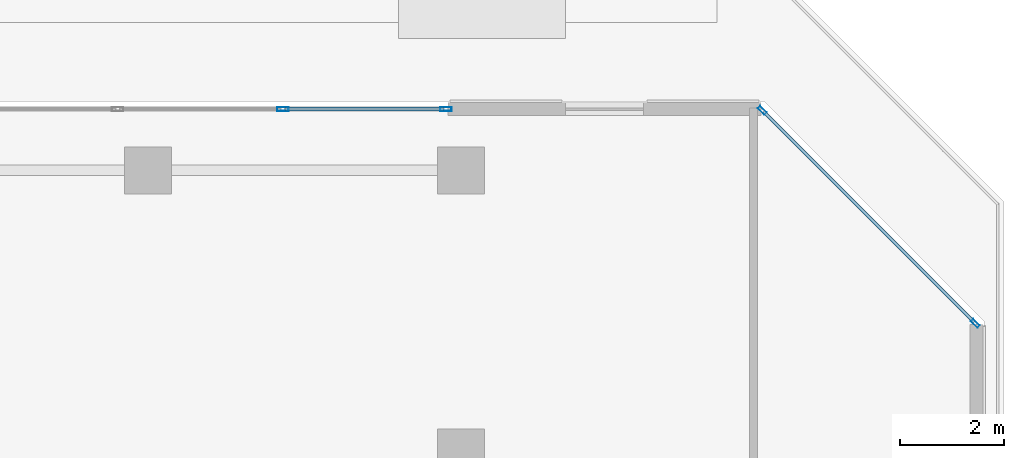
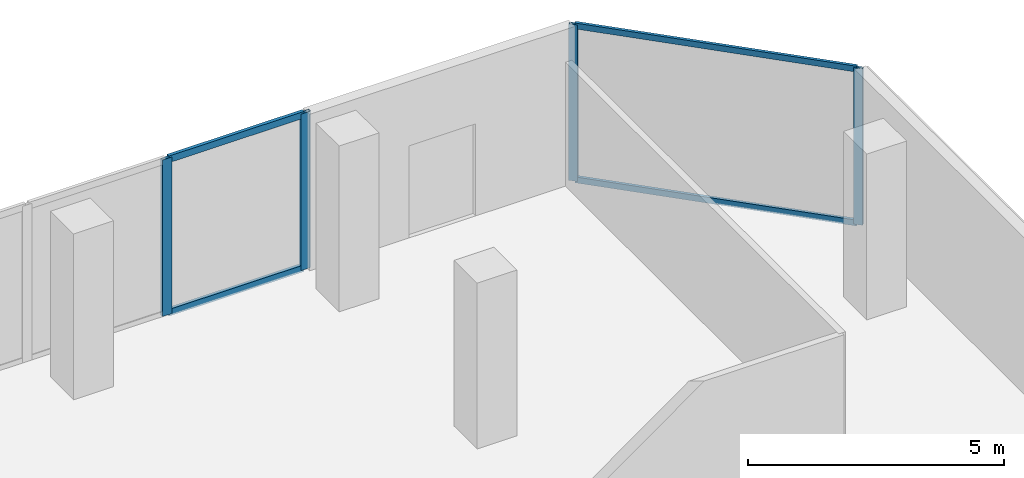
# One storey, part 18 of 30: 8 members, 2 elements without a shape of their own.
"""IFC4 building model written with IfcOpenShell, lengths in metres."""

from ifc_helpers import new_model, si_unit, direction, frame, origin, origin_2d, place, context, subcontext, project, spatial, hollow_rectangle, extrude, material, layer, layer_set, material_profile, profile_set, type_object, element, aggregate, save


model = new_model("IFC4")

# Units and contexts
model_context = context("Model", 3, precision=1e-05, world=origin(), true_north=direction((0.0, 1.0)))
body_context = subcontext(model_context, "Body", "Model", "MODEL_VIEW")
ifc_project = project(units=[si_unit("LENGTHUNIT", "METRE"), si_unit("AREAUNIT", "SQUARE_METRE"), si_unit("VOLUMEUNIT", "CUBIC_METRE"), si_unit("PLANEANGLEUNIT", "RADIAN"), si_unit("MASSUNIT", "GRAM", prefix="KILO")], contexts=[model_context])

# Site, building, storey
site_placement = place(None, origin())
site = spatial("IfcSite", under=ifc_project, at=site_placement, CompositionType="ELEMENT")
building_placement = place(site_placement, origin())
building = spatial("IfcBuilding", under=site, at=building_placement, Name="Tanjung Sevakor Pilgrim Tower", CompositionType="ELEMENT")
storey_placement = place(building_placement, frame((0.0, 0.0, 128.0400390625)))
storey = spatial("IfcBuildingStorey", under=building, at=storey_placement, Name="L35", CompositionType="ELEMENT", Elevation=128.0400390625)

# Curtain wall, members
ifc_material_1 = material(Name="Aluminium 6063-T6 and Low-E Glass", Category="aluminium")
ifc_layer_1 = layer(ifc_material_1, 0.179931640625)
ifc_layer_set_1 = layer_set([ifc_layer_1], Name="CW-SYS-CHAM")
curtain_wall_type_1 = type_object("IfcCurtainWallType", Name="CW-SYS-CHAM", PredefinedType="NOTDEFINED", material=ifc_layer_set_1)
curtain_wall_1_placement = place(storey_placement, origin())
curtain_wall_1 = element("IfcCurtainWall", 1, at=curtain_wall_1_placement, inside=storey, type_object=curtain_wall_type_1, Name="L35 Curtain Wall CW-CHM-L35-MAIN-7", PredefinedType="NOTDEFINED")
ifc_material_2 = material(Name="Aluminium 6063-T6", Category="aluminium")
ifc_material_profile_1 = material_profile(ifc_material_2, hollow_rectangle(XDim=0.06494140625, YDim=0.179931640625, WallThickness=0.00390625, at=origin_2d()))
ifc_profile_set_1 = profile_set([ifc_material_profile_1], Name="Aluminium 6063-T6")
member_type_1 = type_object("IfcMemberType", Name="TYPE-CWM-1", PredefinedType="MULLION", material=ifc_profile_set_1)
member_1_placement = place(storey_placement, frame((99.85205078125, 51.0712890625, 0.0), z_axis=(0.0, 0.0, 1.0), x_axis=(-0.707106781187, -0.707106781187, 0.0)))
member_1 = element("IfcMember", 2, at=member_1_placement, type_object=member_type_1, Name="CW-CHM mullion 1", PredefinedType="MULLION", context=body_context, shape_type="SweptSolid", body=[
    extrude(hollow_rectangle(XDim=0.06494140625, YDim=0.179931640625, WallThickness=0.00390625, at=origin_2d()), origin(), (0.0, 0.0, 1.0), 3.739990234375),
])
member_2_placement = place(storey_placement, frame((95.771240234375, 55.152099609375, 0.0), z_axis=(0.0, 0.0, 1.0), x_axis=(-0.707106781187, -0.707106781187, 0.0)))
member_2 = element("IfcMember", 3, at=member_2_placement, type_object=member_type_1, Name="CW-CHM mullion 2", PredefinedType="MULLION", context=body_context, shape_type="SweptSolid", body=[
    extrude(hollow_rectangle(XDim=0.06494140625, YDim=0.179931640625, WallThickness=0.00390625, at=origin_2d()), origin(), (0.0, 0.0, 1.0), 3.739990234375),
])

ifc_material_3 = material(Name="Aluminium 6063-T6 and Low-E Glass", Category="aluminium")
ifc_layer_2 = layer(ifc_material_3, 0.199951171875)
ifc_layer_set_2 = layer_set([ifc_layer_2], Name="CW-SYS-SKY")
curtain_wall_type_2 = type_object("IfcCurtainWallType", Name="CW-SYS-SKY", PredefinedType="NOTDEFINED", material=ifc_layer_set_2)
curtain_wall_2_placement = place(storey_placement, origin())
curtain_wall_2 = element("IfcCurtainWall", 4, at=curtain_wall_2_placement, inside=storey, type_object=curtain_wall_type_2, Name="L35 Curtain Wall CW-SKY-L35-N", PredefinedType="NOTDEFINED")
ifc_material_4 = material(Name="Aluminium 6063-T6", Category="aluminium")
ifc_material_profile_2 = material_profile(ifc_material_4, hollow_rectangle(XDim=0.074951171875, YDim=0.219970703125, WallThickness=0.0048828125, at=origin_2d()))
ifc_profile_set_2 = profile_set([ifc_material_profile_2], Name="Aluminium 6063-T6")
member_type_2 = type_object("IfcMemberType", Name="TYPE-CWM-2", PredefinedType="MULLION", material=ifc_profile_set_2)
member_3_placement = place(storey_placement, frame((89.710693359375, 55.175048828125, 0.0), z_axis=(0.0, 0.0, 1.0), x_axis=(0.0, -1.0, 0.0)))
member_3 = element("IfcMember", 5, at=member_3_placement, type_object=member_type_2, Name="CW-SKY mullion 1", PredefinedType="MULLION", context=body_context, shape_type="SweptSolid", body=[
    extrude(hollow_rectangle(XDim=0.074951171875, YDim=0.219970703125, WallThickness=0.0048828125, at=origin_2d()), origin(), (0.0, 0.0, 1.0), 3.739990234375),
])
member_4_placement = place(storey_placement, frame((86.5859375, 55.175048828125, 0.0), z_axis=(0.0, 0.0, 1.0), x_axis=(0.0, -1.0, 0.0)))
member_4 = element("IfcMember", 6, at=member_4_placement, type_object=member_type_2, Name="CW-SKY mullion 2", PredefinedType="MULLION", context=body_context, shape_type="SweptSolid", body=[
    extrude(hollow_rectangle(XDim=0.074951171875, YDim=0.219970703125, WallThickness=0.0048828125, at=origin_2d()), origin(), (0.0, 0.0, 1.0), 3.739990234375),
])

# Member
ifc_material_5 = material(Name="Aluminium 6063-T6", Category="aluminium")
ifc_material_profile_3 = material_profile(ifc_material_5, hollow_rectangle(XDim=0.06494140625, YDim=0.139892578125, WallThickness=0.00390625, at=origin_2d()))
ifc_profile_set_3 = profile_set([ifc_material_profile_3], Name="Aluminium 6063-T6")
member_type_3 = type_object("IfcMemberType", Name="TYPE-CWT-1", PredefinedType="USERDEFINED", material=ifc_profile_set_3)
member_5_placement = place(storey_placement, frame((99.8291015625, 51.09423828125, 0.032470703125), z_axis=(-0.707106781187, 0.707106781187, 0.0), x_axis=(-0.707106781187, -0.707106781187, 0.0)))
member_5 = element("IfcMember", 7, at=member_5_placement, type_object=member_type_3, Name="CW-CHM transom 1.1", ObjectType="TRANSOM", PredefinedType="USERDEFINED", context=body_context, shape_type="SweptSolid", body=[
    extrude(hollow_rectangle(XDim=0.06494140625, YDim=0.139892578125, WallThickness=0.00390625, at=origin_2d()), origin(), (0.0, 0.0, 1.0), 5.706298828125),
])

member_6_placement = place(storey_placement, frame((99.8291015625, 51.09423828125, 3.70751953125), z_axis=(-0.707106781187, 0.707106781187, 0.0), x_axis=(-0.707106781187, -0.707106781187, 0.0)))
member_6 = element("IfcMember", 8, at=member_6_placement, type_object=member_type_3, Name="CW-CHM transom 1.2", ObjectType="TRANSOM", PredefinedType="USERDEFINED", context=body_context, shape_type="SweptSolid", body=[
    extrude(hollow_rectangle(XDim=0.06494140625, YDim=0.139892578125, WallThickness=0.00390625, at=origin_2d()), origin(), (0.0, 0.0, 1.0), 5.706298828125),
])

aggregate(curtain_wall_1, [member_1, member_2, member_5, member_6])

ifc_material_6 = material(Name="Aluminium 6063-T6", Category="aluminium")
ifc_material_profile_4 = material_profile(ifc_material_6, hollow_rectangle(XDim=0.074951171875, YDim=0.159912109375, WallThickness=0.00439453125, at=origin_2d()))
ifc_profile_set_4 = profile_set([ifc_material_profile_4], Name="Aluminium 6063-T6")
member_type_4 = type_object("IfcMemberType", Name="TYPE-CWT-2", PredefinedType="USERDEFINED", material=ifc_profile_set_4)
member_7_placement = place(storey_placement, frame((89.673095703125, 55.175048828125, 0.037353515625), z_axis=(-1.0, 0.0, 0.0), x_axis=(0.0, -1.0, 0.0)))
member_7 = element("IfcMember", 9, at=member_7_placement, type_object=member_type_4, Name="CW-SKY transom 1.1", ObjectType="TRANSOM", PredefinedType="USERDEFINED", context=body_context, shape_type="SweptSolid", body=[
    extrude(hollow_rectangle(XDim=0.074951171875, YDim=0.159912109375, WallThickness=0.00439453125, at=origin_2d()), origin(), (0.0, 0.0, 1.0), 3.0498046875),
])

member_8_placement = place(storey_placement, frame((89.673095703125, 55.175048828125, 3.702392578125), z_axis=(-1.0, 0.0, 0.0), x_axis=(0.0, -1.0, 0.0)))
member_8 = element("IfcMember", 10, at=member_8_placement, type_object=member_type_4, Name="CW-SKY transom 1.2", ObjectType="TRANSOM", PredefinedType="USERDEFINED", context=body_context, shape_type="SweptSolid", body=[
    extrude(hollow_rectangle(XDim=0.074951171875, YDim=0.159912109375, WallThickness=0.00439453125, at=origin_2d()), origin(), (0.0, 0.0, 1.0), 3.0498046875),
])

aggregate(curtain_wall_2, [member_3, member_4, member_7, member_8])

save(model, "model.ifc")
